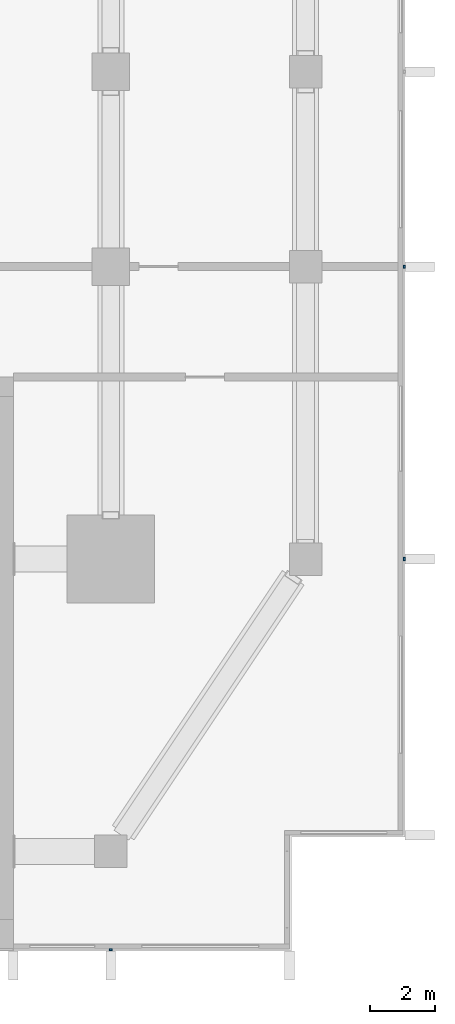
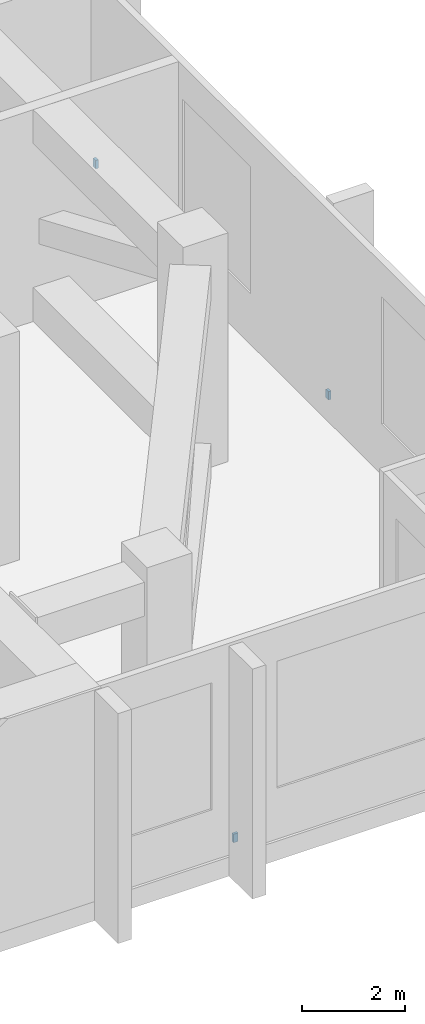
# One storey, part 8 of 12: 3 discrete accessories.
"""IFC4 building model written with IfcOpenShell, lengths in metres."""

from ifc_helpers import new_model, si_unit, direction, frame, origin, origin_2d, place, context, subcontext, project, spatial, rectangle, extrude, material, type_object, element, save


model = new_model("IFC4")

# Units and contexts
model_context = context("Model", 3, precision=1e-05, world=origin(), true_north=direction((0.0, 1.0)))
body_context = subcontext(model_context, "Body", "Model", "MODEL_VIEW")
ifc_project = project(units=[si_unit("LENGTHUNIT", "METRE"), si_unit("AREAUNIT", "SQUARE_METRE"), si_unit("VOLUMEUNIT", "CUBIC_METRE"), si_unit("PLANEANGLEUNIT", "RADIAN"), si_unit("MASSUNIT", "GRAM", prefix="KILO")], contexts=[model_context])

# Site, building, storey
site_placement = place(None, origin())
site = spatial("IfcSite", under=ifc_project, at=site_placement, CompositionType="ELEMENT")
building_placement = place(site_placement, origin())
building = spatial("IfcBuilding", under=site, at=building_placement, Name="Finial Court Residences", CompositionType="ELEMENT")
storey_placement = place(building_placement, frame((0.0, 0.0, 143.89990234375)))
storey = spatial("IfcBuildingStorey", under=building, at=storey_placement, Name="L35", CompositionType="ELEMENT", Elevation=143.89990234375)

# Discrete accessories
ifc_material = material(Name="Stainless steel 316", Category="steel")
discrete_accessory_type = type_object("IfcDiscreteAccessoryType", Name="Fin bracket, stainless steel 100 x 60 x 200", PredefinedType="BRACKET", material=ifc_material)
for number, where, z_axis, x_axis, name in (
    (1, (25.530029296875, -13.5, 0.30029296875), (0.0, 0.0, 1.0), (1.0, 0.0, 0.0), "E-L35-FIN-E10-BRK"),
    (2, (25.530029296875, -4.5, 0.30029296875), (0.0, 0.0, 1.0), (1.0, 0.0, 0.0), "E-L35-FIN-E11-BRK"),
):
    element("IfcDiscreteAccessory", number, at=place(storey_placement, frame(where, z_axis=z_axis, x_axis=x_axis)), inside=storey, type_object=discrete_accessory_type, Name=name, PredefinedType="BRACKET", context=body_context, shape_type="SweptSolid", body=[
        extrude(rectangle(XDim=0.06005859375, YDim=0.10009765625, at=origin_2d()), origin(), (0.0, 0.0, 1.0), 0.199951171875),
    ])
discrete_accessory_placement = place(storey_placement, frame((16.5, -25.530029296875, 0.30029296875), z_axis=(0.0, 0.0, 1.0), x_axis=(1.0, 0.0, 0.0)))
element("IfcDiscreteAccessory", 3, at=discrete_accessory_placement, inside=storey, type_object=discrete_accessory_type, Name="E-L35-FIN-S24-BRK", PredefinedType="BRACKET", context=body_context, shape_type="SweptSolid", body=[
    extrude(rectangle(XDim=0.10009765625, YDim=0.06005859375, at=origin_2d()), origin(), (0.0, 0.0, 1.0), 0.199951171875),
])

save(model, "model.ifc")
